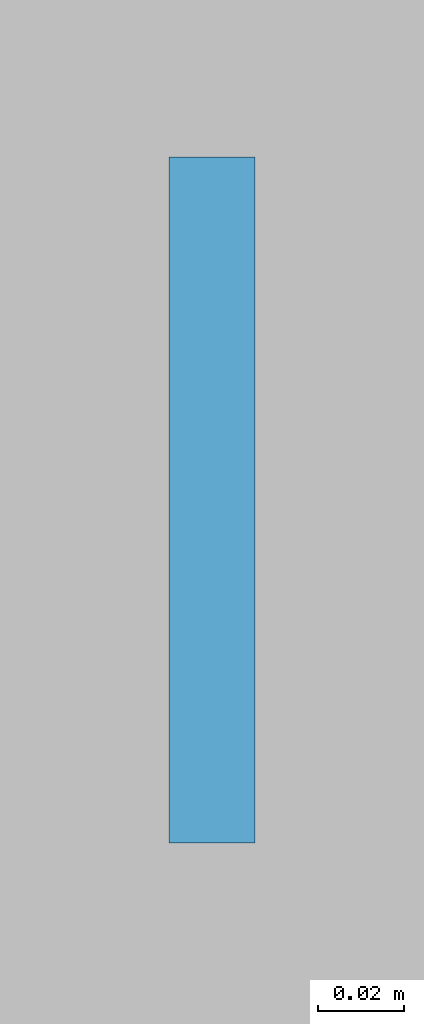
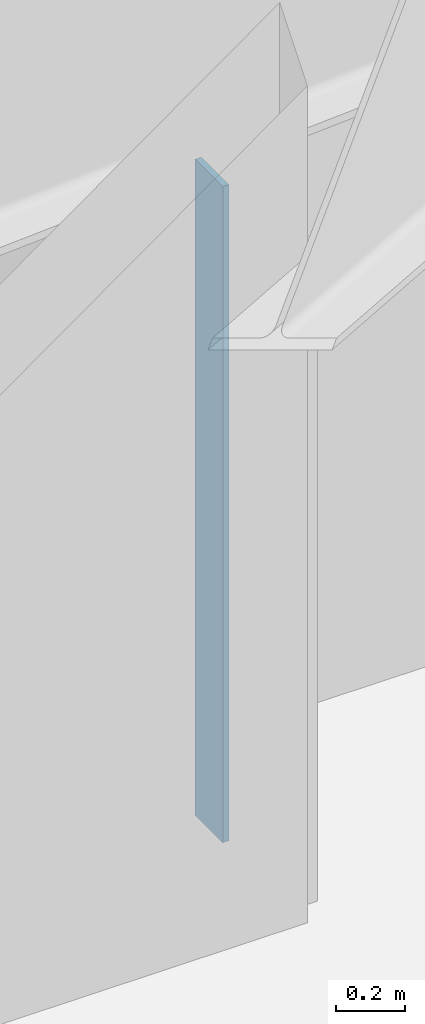
# One storey, part 6 of 14: 1 plate.
"""IFC4 building model written with IfcOpenShell, lengths in metres."""

from ifc_helpers import new_model, si_unit, direction, frame, origin, origin_2d, place, context, subcontext, project, spatial, rectangle, extrude, material, layer, layer_set, type_object, element, save


model = new_model("IFC4")

# Units and contexts
model_context = context("Model", 3, precision=1e-05, world=origin(), true_north=direction((0.0, 1.0)))
body_context = subcontext(model_context, "Body", "Model", "MODEL_VIEW")
ifc_project = project(units=[si_unit("LENGTHUNIT", "METRE"), si_unit("AREAUNIT", "SQUARE_METRE"), si_unit("VOLUMEUNIT", "CUBIC_METRE"), si_unit("PLANEANGLEUNIT", "RADIAN"), si_unit("MASSUNIT", "GRAM", prefix="KILO")], contexts=[model_context])

# Site, building, storey
site_placement = place(None, origin())
site = spatial("IfcSite", under=ifc_project, at=site_placement, CompositionType="ELEMENT")
building_placement = place(site_placement, origin())
building = spatial("IfcBuilding", under=site, at=building_placement, Name="Miruveldt Soraemaru", CompositionType="ELEMENT")
storey_placement = place(building_placement, frame((0.0, 0.0, 114.39990234375)))
storey = spatial("IfcBuildingStorey", under=building, at=storey_placement, Name="L31", CompositionType="ELEMENT", Elevation=114.39990234375)

# Plate
ifc_material = material(Name="Anodised aluminium EN AW-6063 T6", Category="aluminium")
ifc_layer = layer(ifc_material, 0.02001953125, Name="Anodised aluminium EN AW-6063 T6", Category="aluminium")
ifc_layer_set = layer_set([ifc_layer], Name="Anodised aluminium EN AW-6063 T6")
plate_type = type_object("IfcPlateType", Name="PLT-PART-TRIM", PredefinedType="SHEET", material=ifc_layer_set)
plate_placement = place(storey_placement, frame((54.60009765625, 35.5224609375, 0.0), z_axis=(0.0, 0.0, 1.0), x_axis=(0.0, 1.0, 0.0)))
element("IfcPlate", 1, at=plate_placement, inside=storey, type_object=plate_type, Name="L31 Partition Step Corner Trim Plate 009", PredefinedType="SHEET", context=body_context, shape_type="SweptSolid", body=[
    extrude(rectangle(XDim=0.159912109375, YDim=0.02001953125, at=origin_2d()), origin(), (0.0, 0.0, 1.0), 2.322998046875),
])

save(model, "model.ifc")
